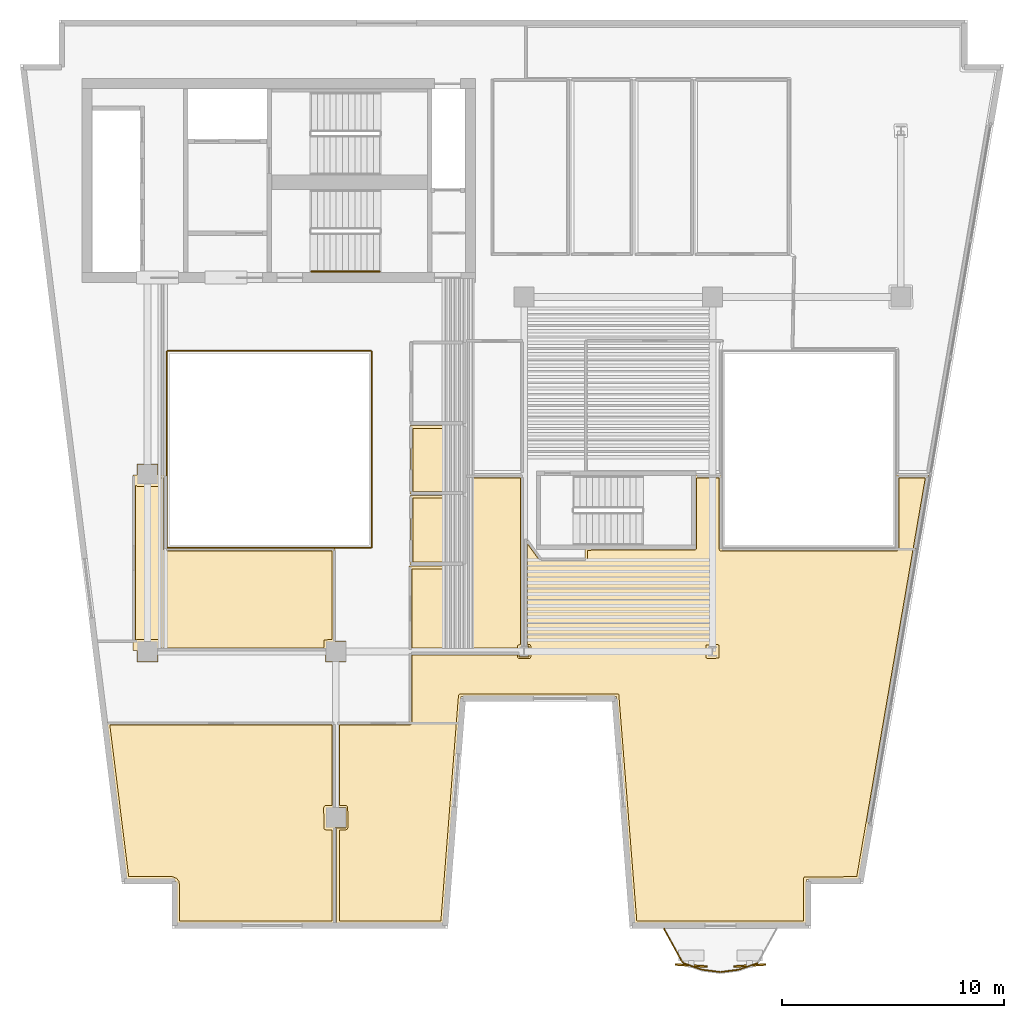
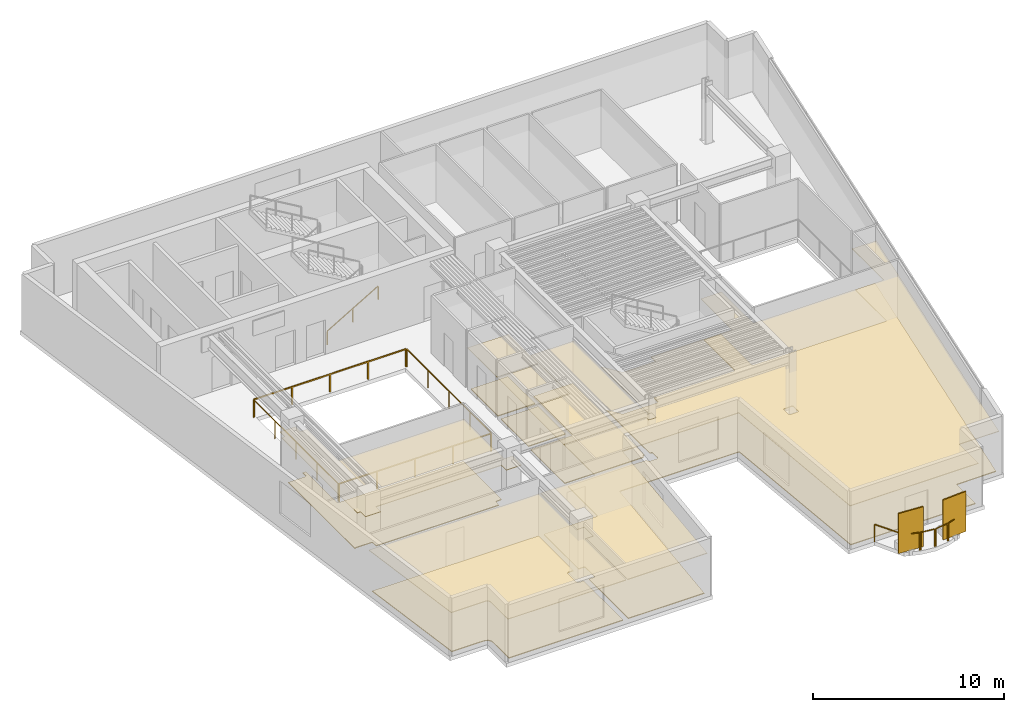
# One storey, part 7 of 10: 12 coverings, 10 railings, 2 shading devices.
"""IFC4 building model written with IfcOpenShell, lengths in metres."""

from ifc_helpers import new_model, si_unit, direction, frame, origin, origin_2d, place, context, subcontext, project, spatial, polyline, rectangle, outline, extrude, material, layer, layer_set, type_object, element, save


model = new_model("IFC4")

# Units and contexts
model_context = context("Model", 3, precision=1e-05, world=origin(), true_north=direction((0.0, 1.0)))
body_context = subcontext(model_context, "Body", "Model", "MODEL_VIEW")
ifc_project = project(units=[si_unit("LENGTHUNIT", "METRE"), si_unit("AREAUNIT", "SQUARE_METRE"), si_unit("VOLUMEUNIT", "CUBIC_METRE"), si_unit("PLANEANGLEUNIT", "RADIAN"), si_unit("MASSUNIT", "GRAM", prefix="KILO")], contexts=[model_context])

# Site, building, storey
site_placement = place(None, origin())
site = spatial("IfcSite", under=ifc_project, at=site_placement, CompositionType="ELEMENT")
building_placement = place(site_placement, origin())
building = spatial("IfcBuilding", under=site, at=building_placement, Name="Caeloran Harvest Quay", CompositionType="ELEMENT")
storey_placement = place(building_placement, frame((0.0, 0.0, 187.699951171875)))
storey = spatial("IfcBuildingStorey", under=building, at=storey_placement, Name="L44", CompositionType="ELEMENT", Elevation=187.699951171875)

# Coverings
ifc_material_1 = material(Name="Perforated Mineral-Fibre Acoustic Ceiling Tile", Category="ceiling")
ifc_layer_1 = layer(ifc_material_1, 0.0400390625, Name="Perforated Mineral-Fibre Acoustic Ceiling Tile")
ifc_layer_set_1 = layer_set([ifc_layer_1], Name="Perforated Mineral-Fibre Acoustic Ceiling Tile")
covering_type_1 = type_object("IfcCoveringType", Name="COV-CEILING-ACOUSTIC", PredefinedType="CEILING", material=ifc_layer_set_1)
covering_1_placement = place(storey_placement, frame((0.0, 0.0, 2.60009765625)))
element("IfcCovering", 1, at=covering_1_placement, inside=storey, type_object=covering_type_1, Name="L44 Female Washroom WC Acoustic Ceiling", PredefinedType="CEILING", context=body_context, shape_type="SweptSolid", body=[
    extrude(outline(polyline([(22.840087890625, 25.18994140625), (22.840087890625, 22.110107421875), (20.360107421875, 22.110107421875), (20.360107421875, 25.18994140625), (22.840087890625, 25.18994140625)])), origin(), (0.0, 0.0, 1.0), 0.0400390625),
])
covering_2_placement = place(storey_placement, frame((0.0, 0.0, 2.60009765625)))
element("IfcCovering", 2, at=covering_2_placement, inside=storey, type_object=covering_type_1, Name="L44 Accessible Unisex Washroom WC Acoustic Ceiling", PredefinedType="CEILING", context=body_context, shape_type="SweptSolid", body=[
    extrude(outline(polyline([(22.840087890625, 22.0400390625), (22.840087890625, 18.919921875), (20.360107421875, 18.919921875), (20.360107421875, 22.0400390625), (22.840087890625, 22.0400390625)])), origin(), (0.0, 0.0, 1.0), 0.0400390625),
])
covering_3_placement = place(storey_placement, frame((0.0, 0.0, 2.60009765625)))
element("IfcCovering", 3, at=covering_3_placement, inside=storey, type_object=covering_type_1, Name="Harbourfront Commercial Counsel Office Acoustic Ceiling", PredefinedType="CEILING", context=body_context, shape_type="SweptSolid", body=[
    extrude(outline(polyline([(9.797119140625, 4.603759765625), (9.72509765625, 4.682861328125), (9.62451171875, 4.718994140625), (7.54833984375, 4.719970703125), (6.666015625, 11.81005859375), (16.9599609375, 11.81005859375), (16.9599609375, 7.969970703125), (17.469970703125, 7.969970703125), (17.469970703125, 7.030029296875), (16.9599609375, 7.030029296875), (16.9599609375, 2.719970703125), (9.822998046875, 2.719970703125), (9.822998046875, 4.4990234375), (9.797119140625, 4.603759765625)])), origin(), (0.0, 0.0, 1.0), 0.0400390625),
])
covering_4_placement = place(storey_placement, frame((0.0, 0.0, 2.60009765625)))
element("IfcCovering", 4, at=covering_4_placement, inside=storey, type_object=covering_type_1, Name="Commodities Research Office Acoustic Ceiling", PredefinedType="CEILING", context=body_context, shape_type="SweptSolid", body=[
    extrude(outline(polyline([(16.530029296875, 7.969970703125), (17.0400390625, 7.969970703125), (17.0400390625, 11.81005859375), (20.31005859375, 11.81005859375), (20.31005859375, 14.9599609375), (25.27197265625, 14.9599609375), (25.27197265625, 15.242919921875), (25.5400390625, 15.242919921875), (25.5400390625, 20.209716796875), (26.267333984375, 19.210205078125), (28.239990234375, 19.2099609375), (28.239990234375, 19.68994140625), (33.159912109375, 19.68994140625), (33.159912109375, 22.9599609375), (34.409912109375, 22.9599609375), (34.409912109375, 19.659912109375), (42.2900390625, 19.659912109375), (42.2900390625, 22.9599609375), (43.746337890625, 22.9599609375), (40.611328125, 4.719970703125), (38.23291015625, 4.719970703125), (38.23291015625, 2.719970703125), (30.472900390625, 2.719970703125), (29.673095703125, 12.969970703125), (22.653564453125, 12.969970703125), (21.853515625, 2.719970703125), (17.0400390625, 2.719970703125), (17.0400390625, 7.030029296875), (16.530029296875, 7.030029296875), (16.530029296875, 7.969970703125)])), origin(), (0.0, 0.0, 1.0), 0.0400390625),
])
covering_5_placement = place(storey_placement, frame((0.0, 0.0, 2.60009765625)))
element("IfcCovering", 5, at=covering_5_placement, inside=storey, type_object=covering_type_1, Name="Maritime Trade Advisory Office Acoustic Ceiling", PredefinedType="CEILING", context=body_context, shape_type="SweptSolid", body=[
    extrude(outline(polyline([(8.030029296875, 15.0400390625), (7.840087890625, 15.0400390625), (7.840087890625, 22.9599609375), (8.030029296875, 22.9599609375), (8.030029296875, 23.469970703125), (8.969970703125, 23.469970703125), (8.969970703125, 22.9599609375), (9.360107421875, 22.9599609375), (9.360107421875, 19.659912109375), (16.9599609375, 19.659912109375), (16.9599609375, 15.469970703125), (17.469970703125, 15.469970703125), (17.469970703125, 14.530029296875), (16.530029296875, 14.530029296875), (16.530029296875, 15.0400390625), (8.969970703125, 15.0400390625), (8.969970703125, 14.530029296875), (8.030029296875, 14.530029296875), (8.030029296875, 15.0400390625)])), origin(), (0.0, 0.0, 1.0), 0.0400390625),
])
covering_6_placement = place(storey_placement, frame((0.0, 0.0, 2.60009765625)))
element("IfcCovering", 6, at=covering_6_placement, inside=storey, type_object=covering_type_1, Name="Managing Director Corner Office Acoustic Ceiling", PredefinedType="CEILING", context=body_context, shape_type="SweptSolid", body=[
    extrude(outline(polyline([(25.72802734375, 15.242919921875), (25.72802734375, 14.757080078125), (25.27197265625, 14.757080078125), (25.27197265625, 15.0400390625), (20.31005859375, 15.0400390625), (20.31005859375, 18.85009765625), (22.8701171875, 18.85009765625), (22.8701171875, 22.9599609375), (25.4599609375, 22.9599609375), (25.4599609375, 15.242919921875), (25.72802734375, 15.242919921875)])), origin(), (0.0, 0.0, 1.0), 0.0400390625),
])
ifc_material_2 = material(Name="Calcium-Sulphate Raised Access Floor and Terrazzo Finish", Category="flooring")
ifc_layer_2 = layer(ifc_material_2, 0.050048828125, Name="Calcium-Sulphate Raised Access Floor and Terrazzo Finish")
ifc_layer_set_2 = layer_set([ifc_layer_2], Name="Calcium-Sulphate Raised Access Floor and Terrazzo Finish")
covering_type_2 = type_object("IfcCoveringType", Name="COV-FLOOR-RAISED", PredefinedType="FLOORING", material=ifc_layer_set_2)
covering_7_placement = place(storey_placement, origin())
element("IfcCovering", 7, at=covering_7_placement, inside=storey, type_object=covering_type_2, Name="L44 Female Washroom WC Raised Finish Flooring", PredefinedType="FLOORING", context=body_context, shape_type="SweptSolid", body=[
    extrude(outline(polyline([(22.719970703125, 25.070068359375), (22.719970703125, 22.22998046875), (20.47998046875, 22.22998046875), (20.47998046875, 25.070068359375), (22.719970703125, 25.070068359375)])), origin(), (0.0, 0.0, 1.0), 0.050048828125),
])
covering_8_placement = place(storey_placement, origin())
element("IfcCovering", 8, at=covering_8_placement, inside=storey, type_object=covering_type_2, Name="L44 Accessible Unisex Washroom WC Raised Finish Flooring", PredefinedType="FLOORING", context=body_context, shape_type="SweptSolid", body=[
    extrude(outline(polyline([(22.719970703125, 21.919921875), (22.719970703125, 19.0400390625), (20.47998046875, 19.0400390625), (20.47998046875, 21.919921875), (22.719970703125, 21.919921875)])), origin(), (0.0, 0.0, 1.0), 0.050048828125),
])
covering_9_placement = place(storey_placement, origin())
element("IfcCovering", 9, at=covering_9_placement, inside=storey, type_object=covering_type_2, Name="Harbourfront Commercial Counsel Office Raised Finish Flooring", PredefinedType="FLOORING", context=body_context, shape_type="SweptSolid", body=[
    extrude(outline(polyline([(9.91845703125, 4.62646484375), (9.815673828125, 4.76513671875), (9.63232421875, 4.838623046875), (7.654296875, 4.840087890625), (6.8017578125, 11.68994140625), (16.840087890625, 11.68994140625), (16.840087890625, 8.044921875), (16.519287109375, 8.04345703125), (16.455078125, 7.965087890625), (16.461181640625, 7.00439453125), (16.527099609375, 6.955322265625), (16.840087890625, 6.955078125), (16.840087890625, 2.840087890625), (9.943115234375, 2.840087890625), (9.943115234375, 4.5), (9.91845703125, 4.62646484375)])), origin(), (0.0, 0.0, 1.0), 0.050048828125),
])
covering_10_placement = place(storey_placement, origin())
element("IfcCovering", 10, at=covering_10_placement, inside=storey, type_object=covering_type_2, Name="Commodities Research Office Raised Finish Flooring", PredefinedType="FLOORING", context=body_context, shape_type="SweptSolid", body=[
    extrude(outline(polyline([(22.616455078125, 13.090087890625), (22.559326171875, 13.06591796875), (22.53662109375, 13.01611328125), (21.742431640625, 2.840087890625), (17.159912109375, 2.840087890625), (17.159912109375, 6.955078125), (17.480712890625, 6.95654296875), (17.544921875, 7.034912109375), (17.538818359375, 7.99560546875), (17.472900390625, 8.044677734375), (17.159912109375, 8.044921875), (17.159912109375, 11.68994140625), (20.35009765625, 11.68994140625), (20.406494140625, 11.71337890625), (20.429931640625, 11.77001953125), (20.429931640625, 14.840087890625), (25.197021484375, 14.840087890625), (25.203125, 14.7314453125), (25.261474609375, 14.68359375), (25.722900390625, 14.681884765625), (25.779541015625, 14.705322265625), (25.802978515625, 14.761962890625), (25.801513671875, 15.253662109375), (25.753662109375, 15.31201171875), (25.659912109375, 15.318115234375), (25.659912109375, 19.8408203125), (26.182373046875, 19.123046875), (26.2470703125, 19.090087890625), (28.295654296875, 19.091552734375), (28.359619140625, 19.162109375), (28.360107421875, 19.570068359375), (33.22314453125, 19.573486328125), (33.280029296875, 19.64990234375), (33.280029296875, 22.840087890625), (34.2900390625, 22.840087890625), (34.2900390625, 19.6201171875), (34.33935546875, 19.546142578125), (42.345703125, 19.54150390625), (42.409912109375, 19.6201171875), (42.409912109375, 22.840087890625), (43.60400390625, 22.840087890625), (40.51025390625, 4.840087890625), (38.14208984375, 4.82177734375), (38.113037109375, 4.760009765625), (38.113037109375, 2.840087890625), (30.583984375, 2.840087890625), (29.7724609375, 13.06005859375), (29.7099609375, 13.090087890625), (22.616455078125, 13.090087890625)]), holes=[polyline([(34.302490234375, 14.754150390625), (34.284912109375, 15.288818359375), (34.230712890625, 15.317626953125), (33.726318359375, 15.2998046875), (33.697021484375, 15.238037109375), (33.715087890625, 14.711181640625), (33.777099609375, 14.681884765625), (34.273681640625, 14.7001953125), (34.302490234375, 14.754150390625)])]), origin(), (0.0, 0.0, 1.0), 0.050048828125),
])
covering_11_placement = place(storey_placement, origin())
element("IfcCovering", 11, at=covering_11_placement, inside=storey, type_object=covering_type_2, Name="Maritime Trade Advisory Office Raised Finish Flooring", PredefinedType="FLOORING", context=body_context, shape_type="SweptSolid", body=[
    extrude(outline(polyline([(7.9599609375, 15.49267578125), (7.9599609375, 22.50732421875), (8.034912109375, 22.455078125), (8.98828125, 22.45849609375), (9.04345703125, 22.519287109375), (9.044921875, 22.840087890625), (9.239990234375, 22.840087890625), (9.239990234375, 19.64990234375), (9.2607421875, 19.585693359375), (9.314208984375, 19.5458984375), (16.840087890625, 19.5400390625), (16.840087890625, 15.544921875), (16.478515625, 15.521484375), (16.455078125, 15.159912109375), (9.044921875, 15.159912109375), (9.04345703125, 15.480712890625), (8.98828125, 15.54150390625), (8.034912109375, 15.544921875), (7.9599609375, 15.49267578125)])), origin(), (0.0, 0.0, 1.0), 0.050048828125),
])
covering_12_placement = place(storey_placement, origin())
element("IfcCovering", 12, at=covering_12_placement, inside=storey, type_object=covering_type_2, Name="Managing Director Corner Office Raised Finish Flooring", PredefinedType="FLOORING", context=body_context, shape_type="SweptSolid", body=[
    extrude(outline(polyline([(22.897705078125, 18.7314453125), (22.96240234375, 18.76708984375), (22.989990234375, 18.840087890625), (22.989990234375, 22.840087890625), (25.340087890625, 22.840087890625), (25.340087890625, 15.318115234375), (25.215087890625, 15.288818359375), (25.197021484375, 15.159912109375), (20.429931640625, 15.159912109375), (20.429931640625, 18.72998046875), (22.897705078125, 18.7314453125)])), origin(), (0.0, 0.0, 1.0), 0.050048828125),
])

# Railings
ifc_material_3 = material(Name="Powder-Coated Steel Post and Laminated Glass Guardrail", Category="steel")
ifc_layer_3 = layer(ifc_material_3, 0.06005859375, Name="Powder-Coated Steel Post and Laminated Glass Guardrail")
ifc_layer_set_3 = layer_set([ifc_layer_3], Name="Powder-Coated Steel Post and Laminated Glass Guardrail")
railing_type_1 = type_object("IfcRailingType", Name="GUARD-ATRIUM-1150", PredefinedType="GUARDRAIL", material=ifc_layer_set_3)
railing_1_placement = place(storey_placement, frame((9.412109375, 19.679931640625, 0.0)))
element("IfcRailing", 13, at=railing_1_placement, inside=storey, type_object=railing_type_1, Name="L44 Skylit Atrium Void Perimeter Guardrail Seg 1", PredefinedType="GUARDRAIL", context=body_context, shape_type="SweptSolid", body=[
    extrude(rectangle(XDim=0.048095703125, YDim=0.048095703125, at=origin_2d()), frame((0.0, 0.0, 1.1259765625), z_axis=(1.0, 0.0, 0.0), x_axis=(0.0, 1.0, 0.0)), (0.0, 0.0, 1.0), 9.17578125),
    extrude(rectangle(XDim=0.0419921875, YDim=0.0419921875, at=origin_2d()), origin(), (0.0, 0.0, 1.0), 1.101806640625),
    extrude(rectangle(XDim=0.0419921875, YDim=0.0419921875, at=origin_2d()), frame((2.2939453125, 0.0, 0.0)), (0.0, 0.0, 1.0), 1.101806640625),
    extrude(rectangle(XDim=0.0419921875, YDim=0.0419921875, at=origin_2d()), frame((4.587890625, 0.0, 0.0)), (0.0, 0.0, 1.0), 1.101806640625),
    extrude(rectangle(XDim=0.0419921875, YDim=0.0419921875, at=origin_2d()), frame((6.8818359375, 0.0, 0.0)), (0.0, 0.0, 1.0), 1.101806640625),
    extrude(rectangle(XDim=0.0419921875, YDim=0.0419921875, at=origin_2d()), frame((9.17578125, 0.0, 0.0)), (0.0, 0.0, 1.0), 1.101806640625),
])
railing_2_placement = place(storey_placement, frame((18.6201171875, 19.7119140625, 0.0)))
element("IfcRailing", 14, at=railing_2_placement, inside=storey, type_object=railing_type_1, Name="L44 Skylit Atrium Void Perimeter Guardrail Seg 2", PredefinedType="GUARDRAIL", context=body_context, shape_type="SweptSolid", body=[
    extrude(rectangle(XDim=0.048095703125, YDim=0.048095703125, at=origin_2d()), frame((0.0, 0.0, 1.1259765625), z_axis=(0.0, 1.0, 0.0), x_axis=(-1.0, 0.0, 0.0)), (0.0, 0.0, 1.0), 8.826171875),
    extrude(rectangle(XDim=0.0419921875, YDim=0.0419921875, at=origin_2d()), origin(), (0.0, 0.0, 1.0), 1.101806640625),
    extrude(rectangle(XDim=0.0419921875, YDim=0.0419921875, at=origin_2d()), frame((0.0, 2.20654296875, 0.0)), (0.0, 0.0, 1.0), 1.101806640625),
    extrude(rectangle(XDim=0.0419921875, YDim=0.0419921875, at=origin_2d()), frame((0.0, 4.4130859375, 0.0)), (0.0, 0.0, 1.0), 1.101806640625),
    extrude(rectangle(XDim=0.0419921875, YDim=0.0419921875, at=origin_2d()), frame((0.0, 6.61962890625, 0.0)), (0.0, 0.0, 1.0), 1.101806640625),
    extrude(rectangle(XDim=0.0419921875, YDim=0.0419921875, at=origin_2d()), frame((0.0, 8.826171875, 0.0)), (0.0, 0.0, 1.0), 1.101806640625),
])
railing_3_placement = place(storey_placement, frame((18.587890625, 28.570068359375, 0.0)))
element("IfcRailing", 15, at=railing_3_placement, inside=storey, type_object=railing_type_1, Name="L44 Skylit Atrium Void Perimeter Guardrail Seg 3", PredefinedType="GUARDRAIL", context=body_context, shape_type="SweptSolid", body=[
    extrude(rectangle(XDim=0.048095703125, YDim=0.048095703125, at=origin_2d()), frame((0.0, 0.0, 1.1259765625), z_axis=(-1.0, 0.0, 0.0), x_axis=(0.0, -1.0, 0.0)), (0.0, 0.0, 1.0), 9.17578125),
    extrude(rectangle(XDim=0.0419921875, YDim=0.0419921875, at=origin_2d()), origin(), (0.0, 0.0, 1.0), 1.101806640625),
    extrude(rectangle(XDim=0.0419921875, YDim=0.0419921875, at=origin_2d()), frame((-2.2939453125, 0.0, 0.0)), (0.0, 0.0, 1.0), 1.101806640625),
    extrude(rectangle(XDim=0.0419921875, YDim=0.0419921875, at=origin_2d()), frame((-4.587890625, 0.0, 0.0)), (0.0, 0.0, 1.0), 1.101806640625),
    extrude(rectangle(XDim=0.0419921875, YDim=0.0419921875, at=origin_2d()), frame((-6.8818359375, 0.0, 0.0)), (0.0, 0.0, 1.0), 1.101806640625),
    extrude(rectangle(XDim=0.0419921875, YDim=0.0419921875, at=origin_2d()), frame((-9.17578125, 0.0, 0.0)), (0.0, 0.0, 1.0), 1.101806640625),
])
railing_4_placement = place(storey_placement, frame((9.3798828125, 28.5380859375, 0.0)))
element("IfcRailing", 16, at=railing_4_placement, inside=storey, type_object=railing_type_1, Name="L44 Skylit Atrium Void Perimeter Guardrail Seg 4", PredefinedType="GUARDRAIL", context=body_context, shape_type="SweptSolid", body=[
    extrude(rectangle(XDim=0.048095703125, YDim=0.048095703125, at=origin_2d()), frame((0.0, 0.0, 1.1259765625), z_axis=(0.0, -1.0, 0.0), x_axis=(1.0, 0.0, 0.0)), (0.0, 0.0, 1.0), 8.826171875),
    extrude(rectangle(XDim=0.0419921875, YDim=0.0419921875, at=origin_2d()), origin(), (0.0, 0.0, 1.0), 1.101806640625),
    extrude(rectangle(XDim=0.0419921875, YDim=0.0419921875, at=origin_2d()), frame((0.0, -2.20654296875, 0.0)), (0.0, 0.0, 1.0), 1.101806640625),
    extrude(rectangle(XDim=0.0419921875, YDim=0.0419921875, at=origin_2d()), frame((0.0, -4.4130859375, 0.0)), (0.0, 0.0, 1.0), 1.101806640625),
    extrude(rectangle(XDim=0.0419921875, YDim=0.0419921875, at=origin_2d()), frame((0.0, -6.61962890625, 0.0)), (0.0, 0.0, 1.0), 1.101806640625),
    extrude(rectangle(XDim=0.0419921875, YDim=0.0419921875, at=origin_2d()), frame((0.0, -8.826171875, 0.0)), (0.0, 0.0, 1.0), 1.101806640625),
])
ifc_material_4 = material(Name="Laminated Safety Glass and Stainless Steel 316", Category="steel")
ifc_layer_4 = layer(ifc_material_4, 0.06005859375, Name="Laminated Safety Glass and Stainless Steel 316")
ifc_layer_set_4 = layer_set([ifc_layer_4], Name="Laminated Safety Glass and Stainless Steel 316")
railing_type_2 = type_object("IfcRailingType", Name="GUARD-BALUSTRADE-1150", PredefinedType="BALUSTRADE", material=ifc_layer_set_4)
railing_5_placement = place(storey_placement, frame((36.018798828125, 0.935791015625, 0.0)))
element("IfcRailing", 17, at=railing_5_placement, inside=storey, type_object=railing_type_2, Name="L44 Planted Balcony Perimeter Balustrade Guard Seg 2", PredefinedType="BALUSTRADE", context=body_context, shape_type="SweptSolid", body=[
    extrude(rectangle(XDim=0.048095703125, YDim=0.048095703125, at=origin_2d()), frame((0.0, 0.0, 1.1259765625), z_axis=(-0.94161610266, -0.336688454229, 0.0), x_axis=(0.336688454229, -0.94161610266, 0.0)), (0.0, 0.0, 1.0), 0.834716796875),
    extrude(rectangle(XDim=0.0419921875, YDim=0.0419921875, at=origin_2d()), origin(), (0.0, 0.0, 1.0), 1.101806640625),
    extrude(rectangle(XDim=0.0419921875, YDim=0.0419921875, at=origin_2d()), frame((-0.785888671875, -0.281005859375, 0.0)), (0.0, 0.0, 1.0), 1.101806640625),
])
railing_6_placement = place(storey_placement, frame((35.1708984375, 0.639892578125, 0.0)))
element("IfcRailing", 18, at=railing_6_placement, inside=storey, type_object=railing_type_2, Name="L44 Planted Balcony Perimeter Balustrade Guard Seg 3", PredefinedType="BALUSTRADE", context=body_context, shape_type="SweptSolid", body=[
    extrude(rectangle(XDim=0.048095703125, YDim=0.048095703125, at=origin_2d()), frame((0.0, 0.0, 1.1259765625), z_axis=(-0.991527823832, -0.129894474738, 0.0), x_axis=(0.129894474738, -0.991527823832, 0.0)), (0.0, 0.0, 1.0), 0.789306640625),
    extrude(rectangle(XDim=0.0419921875, YDim=0.0419921875, at=origin_2d()), origin(), (0.0, 0.0, 1.0), 1.101806640625),
    extrude(rectangle(XDim=0.0419921875, YDim=0.0419921875, at=origin_2d()), frame((-0.78271484375, -0.1025390625, 0.0)), (0.0, 0.0, 1.0), 1.101806640625),
])
railing_7_placement = place(storey_placement, frame((34.32470703125, 0.537353515625, 0.0)))
element("IfcRailing", 19, at=railing_7_placement, inside=storey, type_object=railing_type_2, Name="L44 Planted Balcony Perimeter Balustrade Guard Seg 4", PredefinedType="BALUSTRADE", context=body_context, shape_type="SweptSolid", body=[
    extrude(rectangle(XDim=0.048095703125, YDim=0.048095703125, at=origin_2d()), frame((0.0, 0.0, 1.1259765625), z_axis=(-0.991527823832, 0.129894474738, 0.0), x_axis=(-0.129894474738, -0.991527823832, 0.0)), (0.0, 0.0, 1.0), 0.789306640625),
    extrude(rectangle(XDim=0.0419921875, YDim=0.0419921875, at=origin_2d()), origin(), (0.0, 0.0, 1.0), 1.101806640625),
    extrude(rectangle(XDim=0.0419921875, YDim=0.0419921875, at=origin_2d()), frame((-0.78271484375, 0.1025390625, 0.0)), (0.0, 0.0, 1.0), 1.101806640625),
])
railing_8_placement = place(storey_placement, frame((33.480224609375, 0.65478515625, 0.0)))
element("IfcRailing", 20, at=railing_8_placement, inside=storey, type_object=railing_type_2, Name="L44 Planted Balcony Perimeter Balustrade Guard Seg 5", PredefinedType="BALUSTRADE", context=body_context, shape_type="SweptSolid", body=[
    extrude(rectangle(XDim=0.048095703125, YDim=0.048095703125, at=origin_2d()), frame((0.0, 0.0, 1.1259765625), z_axis=(-0.94161610266, 0.336688454229, 0.0), x_axis=(-0.336688454229, -0.94161610266, 0.0)), (0.0, 0.0, 1.0), 0.834716796875),
    extrude(rectangle(XDim=0.0419921875, YDim=0.0419921875, at=origin_2d()), origin(), (0.0, 0.0, 1.0), 1.101806640625),
    extrude(rectangle(XDim=0.0419921875, YDim=0.0419921875, at=origin_2d()), frame((-0.785888671875, 0.281005859375, 0.0)), (0.0, 0.0, 1.0), 1.101806640625),
])
railing_9_placement = place(storey_placement, frame((32.648681640625, 0.974609375, 0.0)))
element("IfcRailing", 21, at=railing_9_placement, inside=storey, type_object=railing_type_2, Name="L44 Planted Balcony Perimeter Balustrade Guard Seg 6", PredefinedType="BALUSTRADE", context=body_context, shape_type="SweptSolid", body=[
    extrude(rectangle(XDim=0.048095703125, YDim=0.048095703125, at=origin_2d()), frame((0.0, 0.0, 1.1259765625), z_axis=(-0.483084850655, 0.875573541781, 0.0), x_axis=(-0.875573541781, -0.483084850655, 0.0)), (0.0, 0.0, 1.0), 1.71923828125),
    extrude(rectangle(XDim=0.0419921875, YDim=0.0419921875, at=origin_2d()), origin(), (0.0, 0.0, 1.0), 1.101806640625),
    extrude(rectangle(XDim=0.0419921875, YDim=0.0419921875, at=origin_2d()), frame((-0.83056640625, 1.50537109375, 0.0)), (0.0, 0.0, 1.0), 1.101806640625),
])

# Shading devices
ifc_material_5 = material(Name="3003-H14 Perforated Powder-Coated Aluminium", Category="aluminium")
shading_device_type = type_object("IfcShadingDeviceType", Name="SHADE-SCREEN-FOLDED", PredefinedType="USERDEFINED", material=ifc_material_5)
for number, where, z_axis, x_axis, name in (
    (22, (35.676513671875, 0.82861328125, 0.0751953125), (0.0, 0.0, 1.0), (0.997801468292, 0.0662739004, 0.0), "L44 Folded Facade Breathing Screen 1"),
    (23, (33.03662109375, 0.82861328125, 0.0751953125), (0.0, 0.0, 1.0), (0.997801468292, -0.0662739004, 0.0), "L44 Folded Facade Breathing Screen 2"),
):
    element("IfcShadingDevice", number, at=place(storey_placement, frame(where, z_axis=z_axis, x_axis=x_axis)), inside=storey, type_object=shading_device_type, Name=name, ObjectType="SCREEN", PredefinedType="USERDEFINED", context=body_context, shape_type="SweptSolid", body=[
        extrude(rectangle(XDim=1.449951171875, YDim=0.080078125, at=origin_2d()), origin(), (0.0, 0.0, 1.0), 2.550048828125),
    ])

# Railing
ifc_material_6 = material(Name="Brushed Stainless Steel Grade 304", Category="steel")
ifc_layer_5 = layer(ifc_material_6, 0.050048828125, Name="Brushed Stainless Steel Grade 304")
ifc_layer_set_5 = layer_set([ifc_layer_5], Name="Brushed Stainless Steel Grade 304")
railing_type_3 = type_object("IfcRailingType", Name="STAIR-HANDRAIL-900", PredefinedType="HANDRAIL", material=ifc_layer_set_5)
railing_10_placement = place(storey_placement, frame((15.89990234375, 32.14990234375, 0.16455078125)))
element("IfcRailing", 24, at=railing_10_placement, inside=storey, type_object=railing_type_3, Name="L44 ST-C2 stair handrail 1", PredefinedType="HANDRAIL", context=body_context, shape_type="SweptSolid", body=[
    extrude(rectangle(XDim=0.048095703125, YDim=0.048095703125, at=origin_2d()), frame((0.0, 0.0, 0.8759765625), z_axis=(0.862088758681, 0.0, 0.506757310905), x_axis=(0.0, 1.0, 0.0)), (0.0, 0.0, 1.0), 3.57275390625),
    extrude(rectangle(XDim=0.0419921875, YDim=0.0419921875, at=origin_2d()), origin(), (0.0, 0.0, 1.0), 0.851806640625),
    extrude(rectangle(XDim=0.0419921875, YDim=0.0419921875, at=origin_2d()), frame((1.5400390625, 0.0, 0.9052734375)), (0.0, 0.0, 1.0), 0.851806640625),
    extrude(rectangle(XDim=0.0419921875, YDim=0.0419921875, at=origin_2d()), frame((3.080078125, 0.0, 1.810546875)), (0.0, 0.0, 1.0), 0.851806640625),
])

save(model, "model.ifc")
